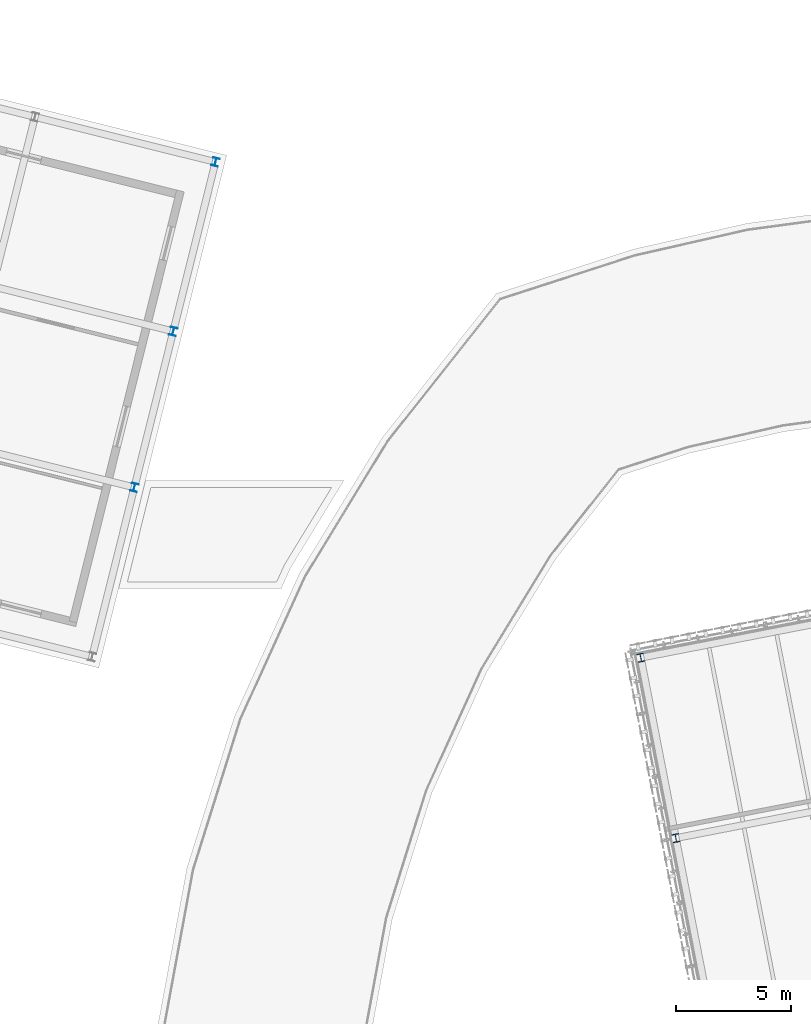
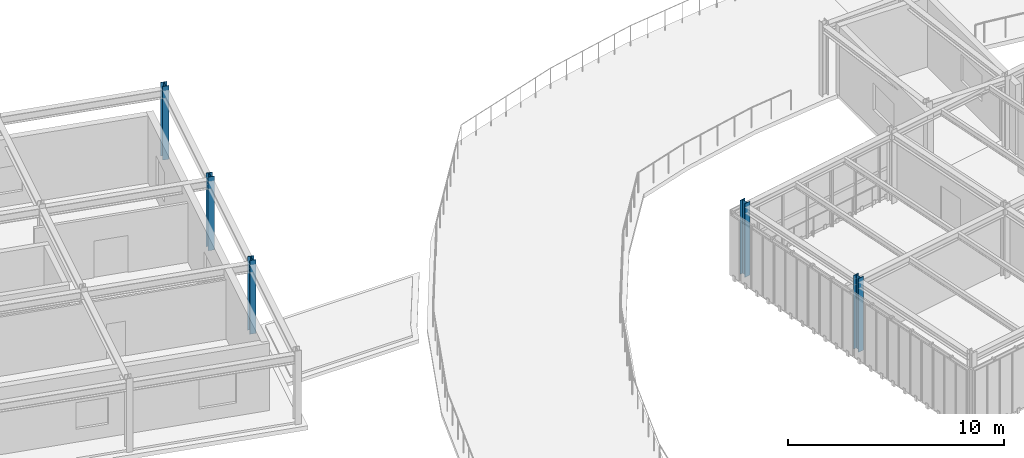
# One storey, part 8 of 59: 5 columns.
"""IFC4 building model written with IfcOpenShell, lengths in metres."""

from ifc_helpers import new_model, si_unit, direction, frame, origin, origin_2d, place, context, subcontext, project, spatial, i_section, extrude, material, material_profile, profile_set, type_object, element, save


model = new_model("IFC4")

# Units and contexts
model_context = context("Model", 3, precision=1e-05, world=origin(), true_north=direction((0.0, 1.0)))
body_context = subcontext(model_context, "Body", "Model", "MODEL_VIEW")
ifc_project = project(units=[si_unit("LENGTHUNIT", "METRE"), si_unit("AREAUNIT", "SQUARE_METRE"), si_unit("VOLUMEUNIT", "CUBIC_METRE"), si_unit("PLANEANGLEUNIT", "RADIAN"), si_unit("MASSUNIT", "GRAM", prefix="KILO")], contexts=[model_context])

# Site, building, storey
site_placement = place(None, origin())
site = spatial("IfcSite", under=ifc_project, at=site_placement, CompositionType="ELEMENT")
building_placement = place(site_placement, origin())
building = spatial("IfcBuilding", under=site, at=building_placement, Name="Varnklinge Art Gallery", CompositionType="ELEMENT")
storey_placement = place(building_placement, frame((0.0, 0.0, 9.52001953125)))
storey = spatial("IfcBuildingStorey", under=building, at=storey_placement, Name="L02", CompositionType="ELEMENT", Elevation=9.52001953125)

# Columns
ifc_material = material(Name="Steel S355", Category="steel")
ifc_material_profile = material_profile(ifc_material, i_section(OverallWidth=0.300048828125, OverallDepth=0.360107421875, WebThickness=0.012451171875, FlangeThickness=0.0224609375, FilletRadius=0.027099609375, at=origin_2d()), Name="HEB 360")
ifc_profile_set = profile_set([ifc_material_profile], Name="Steel S355")
column_type = type_object("IfcColumnType", Name="COL-E4", PredefinedType="COLUMN", material=ifc_profile_set)
for number, where, z_axis, x_axis, name in (
    (1, (62.34619140625, 69.943115234375, 0.0), (0.0, 0.0, 1.0), (0.981627183448, 0.190808995377, 0.0), "L02 Column V4BC-1-2"),
    (2, (60.819580078125, 77.796142578125, 0.0), (0.0, 0.0, 1.0), (0.981627183448, 0.190808995377, 0.0), "L02 Column V4BC-1-3"),
    (3, (38.77490234375, 85.208984375, 0.0), (0.0, 0.0, 1.0), (0.970295726276, -0.2419218956, 0.0), "L02 Column V5C-5-2"),
    (4, (40.468505859375, 92.001220703125, 0.0), (0.0, 0.0, 1.0), (0.970295726276, -0.2419218956, 0.0), "L02 Column V5C-5-3"),
    (5, (42.30712890625, 99.375244140625, 0.0), (0.0, 0.0, 1.0), (0.970295726276, -0.2419218956, 0.0), "L02 Column V5C-5-4"),
):
    element("IfcColumn", number, at=place(storey_placement, frame(where, z_axis=z_axis, x_axis=x_axis)), inside=storey, type_object=column_type, Name=name, PredefinedType="COLUMN", context=body_context, shape_type="SweptSolid", body=[
        extrude(i_section(OverallWidth=0.300048828125, OverallDepth=0.360107421875, WebThickness=0.012451171875, FlangeThickness=0.0224609375, FilletRadius=0.027099609375, at=origin_2d()), origin(), (0.0, 0.0, 1.0), 4.159912109375),
    ])

save(model, "model.ifc")
